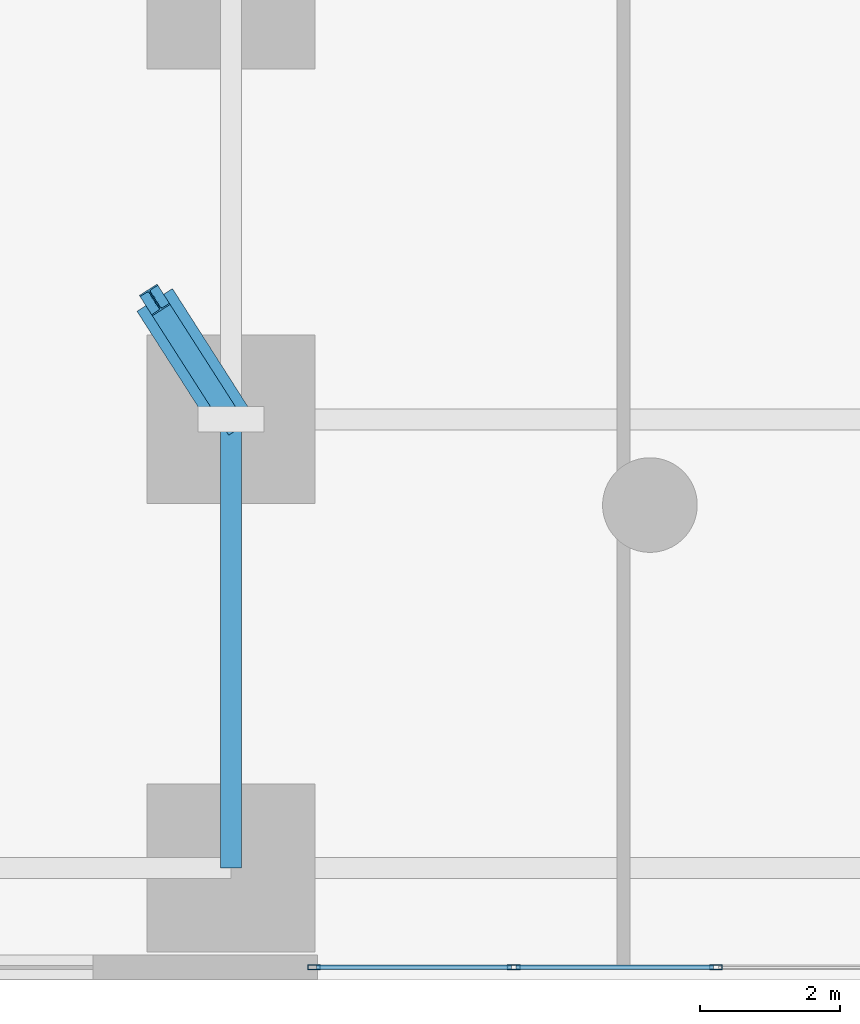
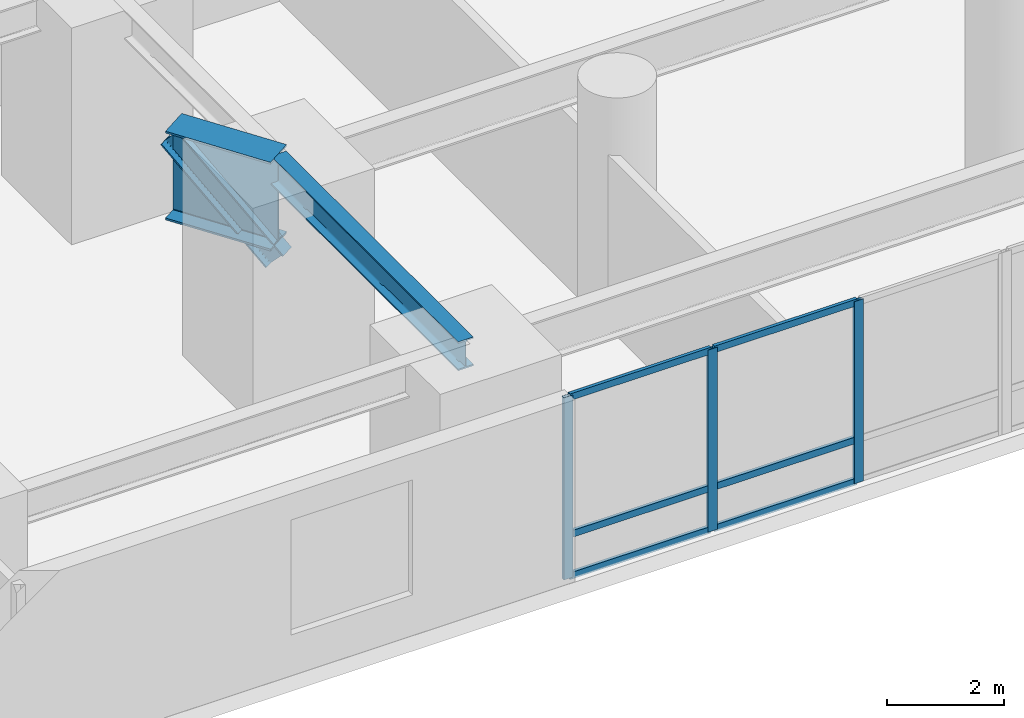
# One storey, part 2 of 17: 10 members, 2 beams, 1 element without a shape of its own.
"""IFC4 building model written with IfcOpenShell, lengths in metres."""

from ifc_helpers import new_model, si_unit, direction, frame, origin, origin_2d, place, context, subcontext, project, spatial, hollow_rectangle, i_section, extrude, material, layer, layer_set, material_profile, profile_set, type_object, element, aggregate, save


model = new_model("IFC4")

# Units and contexts
model_context = context("Model", 3, precision=1e-05, world=origin(), true_north=direction((0.0, 1.0)))
body_context = subcontext(model_context, "Body", "Model", "MODEL_VIEW")
ifc_project = project(units=[si_unit("LENGTHUNIT", "METRE"), si_unit("AREAUNIT", "SQUARE_METRE"), si_unit("VOLUMEUNIT", "CUBIC_METRE"), si_unit("PLANEANGLEUNIT", "RADIAN"), si_unit("MASSUNIT", "GRAM", prefix="KILO"), si_unit("THERMODYNAMICTEMPERATUREUNIT", "KELVIN"), si_unit("POWERUNIT", "WATT")], contexts=[model_context])

# Site, building, storey
site_placement = place(None, origin())
site = spatial("IfcSite", under=ifc_project, at=site_placement, CompositionType="ELEMENT")
building_placement = place(site_placement, origin())
building = spatial("IfcBuilding", under=site, at=building_placement, Name="Ocrelia Relay Tower", CompositionType="ELEMENT")
storey_placement = place(building_placement, frame((0.0, 0.0, 25.199951171875)))
storey = spatial("IfcBuildingStorey", under=building, at=storey_placement, Name="L05", CompositionType="ELEMENT", Elevation=25.199951171875)

# Beams
ifc_material_1 = material(Name="Steel S355", Category="steel")
ifc_material_profile_1 = material_profile(ifc_material_1, i_section(OverallWidth=0.300048828125, OverallDepth=0.60009765625, WebThickness=0.015380859375, FlangeThickness=0.030029296875, FilletRadius=0.027099609375, at=origin_2d()), Name="HEB 600")
ifc_profile_set_1 = profile_set([ifc_material_profile_1], Name="Steel S355")
beam_type_1 = type_object("IfcBeamType", Name="BM-HEB600", PredefinedType="BEAM", material=ifc_profile_set_1)
beam_1_placement = place(storey_placement, frame((24.199951171875, 1.60009765625, 4.219970703125), z_axis=(0.0, 1.0, 0.0), x_axis=(-1.0, 0.0, 0.0)))
element("IfcBeam", 1, at=beam_1_placement, inside=storey, type_object=beam_type_1, Name="L05 Pier Line Tie Girder AW-1", PredefinedType="BEAM", context=body_context, shape_type="SweptSolid", body=[
    extrude(i_section(OverallWidth=0.300048828125, OverallDepth=0.60009765625, WebThickness=0.015380859375, FlangeThickness=0.030029296875, FilletRadius=0.027099609375, at=origin_2d()), origin(), (0.0, 0.0, 1.0), 6.39990234375),
])
ifc_material_profile_2 = material_profile(ifc_material_1, i_section(OverallWidth=0.60009765625, OverallDepth=1.85009765625, WebThickness=0.028076171875, FlangeThickness=0.0400390625, FilletRadius=0.02001953125, at=origin_2d()), Name="WPG 1850x600")
ifc_profile_set_2 = profile_set([ifc_material_profile_2], Name="Steel S355")
beam_type_2 = type_object("IfcBeamType", Name="BM-WPG1650", PredefinedType="T_BEAM", material=ifc_profile_set_2)
beam_2_placement = place(storey_placement, frame((24.199951171875, 8.0, 3.594970703125), z_axis=(-0.538741803588, 0.842470930695, 0.0), x_axis=(-0.842470930695, -0.538741803588, 0.0)))
element("IfcBeam", 2, at=beam_2_placement, inside=storey, type_object=beam_type_2, Name="L05 Pier Head Transfer Cap 11", PredefinedType="T_BEAM", context=body_context, shape_type="SweptSolid", body=[
    extrude(i_section(OverallWidth=0.60009765625, OverallDepth=1.85009765625, WebThickness=0.028076171875, FlangeThickness=0.0400390625, FilletRadius=0.02001953125, at=origin_2d()), origin(), (0.0, 0.0, 1.0), 2.021484375),
])

# Curtain wall, members
ifc_material_2 = material(Name="Aluminium and solar-control low-E glass", Category="aluminium")
ifc_layer = layer(ifc_material_2, 0.179931640625, Name="Aluminium and solar-control low-E glass")
ifc_layer_set = layer_set([ifc_layer], Name="Aluminium and solar-control low-E glass")
curtain_wall_type = type_object("IfcCurtainWallType", Name="CW-SYS-POD-GALL", PredefinedType="NOTDEFINED", material=ifc_layer_set)
curtain_wall_placement = place(storey_placement, origin())
curtain_wall = element("IfcCurtainWall", 3, at=curtain_wall_placement, inside=storey, type_object=curtain_wall_type, Name="L05 South Over-Arch Curtain Wall West", PredefinedType="NOTDEFINED")
ifc_material_3 = material(Name="Anodised bronze aluminium", Category="aluminium")
ifc_material_profile_3 = material_profile(ifc_material_3, hollow_rectangle(XDim=0.070068359375, YDim=0.179931640625, WallThickness=0.006103515625, at=origin_2d()), Name="CW-MUL-180x70")
ifc_profile_set_3 = profile_set([ifc_material_profile_3], Name="Anodised bronze aluminium")
member_type_1 = type_object("IfcMemberType", Name="CW-SYS-POD-GALL-MUL", PredefinedType="MULLION", material=ifc_profile_set_3)
member_1_placement = place(storey_placement, frame((25.385009765625, 0.179931640625, 0.0), z_axis=(0.0, 0.0, 1.0), x_axis=(0.0, 1.0, 0.0)))
member_1 = element("IfcMember", 4, at=member_1_placement, type_object=member_type_1, Name="CW-PG mullion 1", PredefinedType="MULLION", context=body_context, shape_type="SweptSolid", body=[
    extrude(hollow_rectangle(XDim=0.070068359375, YDim=0.179931640625, WallThickness=0.006103515625, at=origin_2d()), origin(), (0.0, 0.0, 1.0), 3.800048828125),
])
member_2_placement = place(storey_placement, frame((28.2333984375, 0.179931640625, 0.0), z_axis=(0.0, 0.0, 1.0), x_axis=(0.0, 1.0, 0.0)))
member_2 = element("IfcMember", 5, at=member_2_placement, type_object=member_type_1, Name="CW-PG mullion 2", PredefinedType="MULLION", context=body_context, shape_type="SweptSolid", body=[
    extrude(hollow_rectangle(XDim=0.070068359375, YDim=0.179931640625, WallThickness=0.006103515625, at=origin_2d()), origin(), (0.0, 0.0, 1.0), 3.800048828125),
])
member_3_placement = place(storey_placement, frame((31.11669921875, 0.179931640625, 0.0), z_axis=(0.0, 0.0, 1.0), x_axis=(0.0, 1.0, 0.0)))
member_3 = element("IfcMember", 6, at=member_3_placement, type_object=member_type_1, Name="CW-PG mullion 3", PredefinedType="MULLION", context=body_context, shape_type="SweptSolid", body=[
    extrude(hollow_rectangle(XDim=0.070068359375, YDim=0.179931640625, WallThickness=0.006103515625, at=origin_2d()), origin(), (0.0, 0.0, 1.0), 3.800048828125),
])
ifc_material_profile_4 = material_profile(ifc_material_3, hollow_rectangle(XDim=0.06494140625, YDim=0.139892578125, WallThickness=0.0048828125, at=origin_2d()), Name="CW-TRN-140x65")
ifc_profile_set_4 = profile_set([ifc_material_profile_4], Name="Anodised bronze aluminium")
member_type_2 = type_object("IfcMemberType", Name="CW-SYS-POD-GALL-TRN", PredefinedType="USERDEFINED", material=ifc_profile_set_4)
member_4_placement = place(storey_placement, frame((25.419921875, 0.179931640625, 0.032470703125), z_axis=(1.0, 0.0, 0.0), x_axis=(0.0, 1.0, 0.0)))
member_4 = element("IfcMember", 7, at=member_4_placement, type_object=member_type_2, Name="CW-PG transom 1.1", ObjectType="TRANSOM", PredefinedType="USERDEFINED", context=body_context, shape_type="SweptSolid", body=[
    extrude(hollow_rectangle(XDim=0.06494140625, YDim=0.139892578125, WallThickness=0.0048828125, at=origin_2d()), origin(), (0.0, 0.0, 1.0), 2.7783203125),
])
member_5_placement = place(storey_placement, frame((25.419921875, 0.179931640625, 0.900146484375), z_axis=(1.0, 0.0, 0.0), x_axis=(0.0, 1.0, 0.0)))
member_5 = element("IfcMember", 8, at=member_5_placement, type_object=member_type_2, Name="CW-PG transom 1.2", ObjectType="TRANSOM", PredefinedType="USERDEFINED", context=body_context, shape_type="SweptSolid", body=[
    extrude(hollow_rectangle(XDim=0.06494140625, YDim=0.139892578125, WallThickness=0.0048828125, at=origin_2d()), origin(), (0.0, 0.0, 1.0), 2.7783203125),
])
member_6_placement = place(storey_placement, frame((25.419921875, 0.179931640625, 3.767578125), z_axis=(1.0, 0.0, 0.0), x_axis=(0.0, 1.0, 0.0)))
member_6 = element("IfcMember", 9, at=member_6_placement, type_object=member_type_2, Name="CW-PG transom 1.3", ObjectType="TRANSOM", PredefinedType="USERDEFINED", context=body_context, shape_type="SweptSolid", body=[
    extrude(hollow_rectangle(XDim=0.06494140625, YDim=0.139892578125, WallThickness=0.0048828125, at=origin_2d()), origin(), (0.0, 0.0, 1.0), 2.7783203125),
])
member_7_placement = place(storey_placement, frame((28.268310546875, 0.179931640625, 0.032470703125), z_axis=(1.0, 0.0, 0.0), x_axis=(0.0, 1.0, 0.0)))
member_7 = element("IfcMember", 10, at=member_7_placement, type_object=member_type_2, Name="CW-PG transom 2.1", ObjectType="TRANSOM", PredefinedType="USERDEFINED", context=body_context, shape_type="SweptSolid", body=[
    extrude(hollow_rectangle(XDim=0.06494140625, YDim=0.139892578125, WallThickness=0.0048828125, at=origin_2d()), origin(), (0.0, 0.0, 1.0), 2.8134765625),
])
member_8_placement = place(storey_placement, frame((28.268310546875, 0.179931640625, 0.900146484375), z_axis=(1.0, 0.0, 0.0), x_axis=(0.0, 1.0, 0.0)))
member_8 = element("IfcMember", 11, at=member_8_placement, type_object=member_type_2, Name="CW-PG transom 2.2", ObjectType="TRANSOM", PredefinedType="USERDEFINED", context=body_context, shape_type="SweptSolid", body=[
    extrude(hollow_rectangle(XDim=0.06494140625, YDim=0.139892578125, WallThickness=0.0048828125, at=origin_2d()), origin(), (0.0, 0.0, 1.0), 2.8134765625),
])
member_9_placement = place(storey_placement, frame((28.268310546875, 0.179931640625, 3.767578125), z_axis=(1.0, 0.0, 0.0), x_axis=(0.0, 1.0, 0.0)))
member_9 = element("IfcMember", 12, at=member_9_placement, type_object=member_type_2, Name="CW-PG transom 2.3", ObjectType="TRANSOM", PredefinedType="USERDEFINED", context=body_context, shape_type="SweptSolid", body=[
    extrude(hollow_rectangle(XDim=0.06494140625, YDim=0.139892578125, WallThickness=0.0048828125, at=origin_2d()), origin(), (0.0, 0.0, 1.0), 2.8134765625),
])
aggregate(curtain_wall, [member_1, member_2, member_3, member_4, member_5, member_6, member_7, member_8, member_9])

# Member
ifc_material_profile_5 = material_profile(ifc_material_1, i_section(OverallWidth=0.300048828125, OverallDepth=0.5, WebThickness=0.014404296875, FlangeThickness=0.028076171875, FilletRadius=0.027099609375, at=origin_2d()), Name="HEB 500")
ifc_profile_set_5 = profile_set([ifc_material_profile_5], Name="Steel S355")
member_type_3 = type_object("IfcMemberType", Name="MB-RAKER-STRUT", PredefinedType="STRUT", material=ifc_profile_set_5)
member_10_placement = place(storey_placement, frame((24.199951171875, 8.0, 2.35009765625), z_axis=(-0.390643663131, 0.610878770232, 0.688639714608), x_axis=(-0.842470930695, -0.538741803588, 0.0)))
element("IfcMember", 13, at=member_10_placement, inside=storey, type_object=member_type_3, Name="L05 Pier Transfer Raker 11", PredefinedType="STRUT", context=body_context, shape_type="SweptSolid", body=[
    extrude(i_section(OverallWidth=0.300048828125, OverallDepth=0.5, WebThickness=0.014404296875, FlangeThickness=0.028076171875, FilletRadius=0.027099609375, at=origin_2d()), origin(), (0.0, 0.0, 1.0), 2.7880859375),
])

save(model, "model.ifc")
